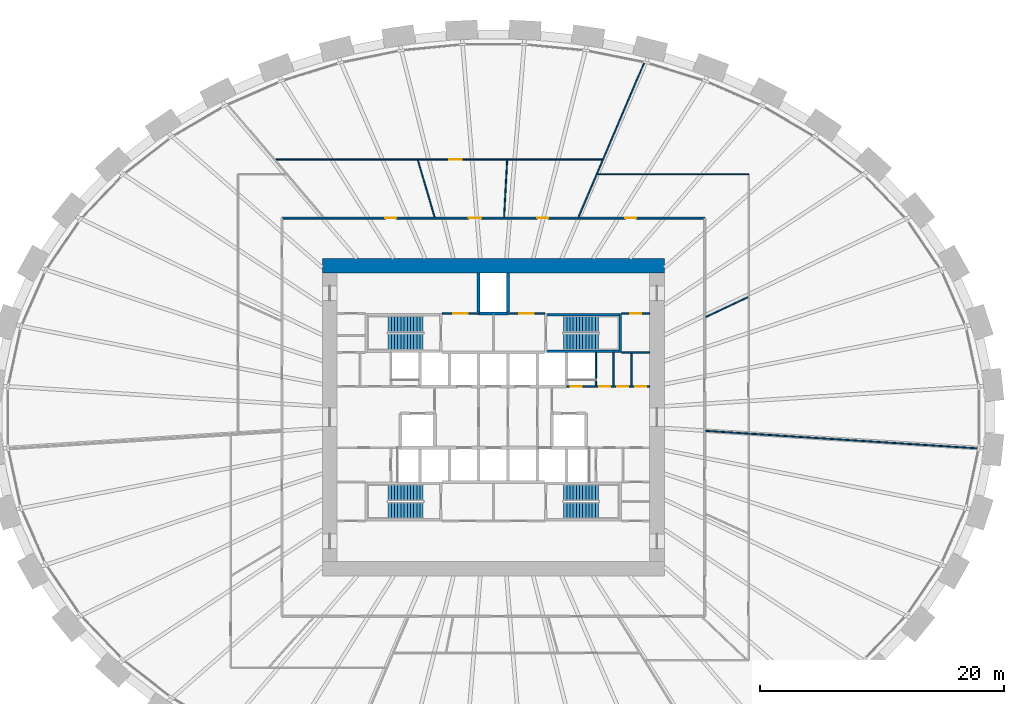
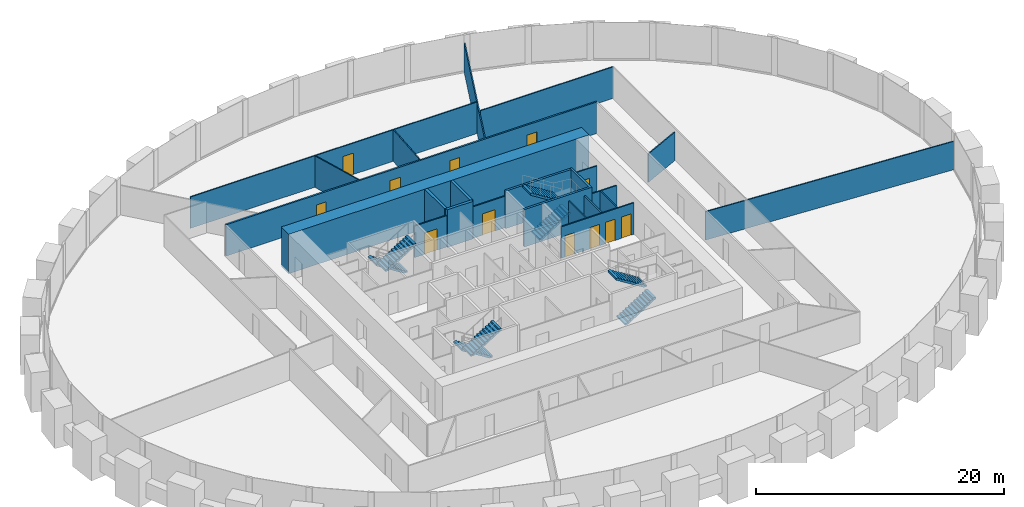
# One storey, part 9 of 10: 23 walls, 12 doors, 8 stair flights, 12 openings, 4 elements without a shape of their own.
"""IFC4 building model written with IfcOpenShell, lengths in metres."""

from ifc_helpers import new_model, si_unit, direction, frame, frame_2d, origin, place, context, subcontext, project, spatial, polyline, rectangle, outline, extrude, source, transform, mapped, material, layer, layer_set, type_object, element, fill, aggregate, save


model = new_model("IFC4")

# Units and contexts
model_context = context("Model", 3, precision=1e-05, world=origin(), true_north=direction((0.0, 1.0)))
body_context = subcontext(model_context, "Body", "Model", "MODEL_VIEW")
ifc_project = project(units=[si_unit("LENGTHUNIT", "METRE"), si_unit("AREAUNIT", "SQUARE_METRE"), si_unit("VOLUMEUNIT", "CUBIC_METRE"), si_unit("PLANEANGLEUNIT", "RADIAN"), si_unit("MASSUNIT", "GRAM", prefix="KILO")], contexts=[model_context])

# Site, building, storey
site_placement = place(None, origin())
site = spatial("IfcSite", under=ifc_project, at=site_placement, CompositionType="ELEMENT")
building_placement = place(site_placement, origin())
building = spatial("IfcBuilding", under=site, at=building_placement, Name="Embergate Tower", CompositionType="ELEMENT")
storey_placement = place(building_placement, frame((0.0, 0.0, 81.5)))
storey = spatial("IfcBuildingStorey", under=building, at=storey_placement, Name="L16", CompositionType="ELEMENT", Elevation=81.5)

# Wall
ifc_material_1 = material(Name="Concrete C80", Category="concrete")
ifc_layer_1 = layer(ifc_material_1, 1.199951171875)
ifc_layer_set_1 = layer_set([ifc_layer_1], Name="Concrete C80")
wall_type_1 = type_object("IfcWallType", Name="Core outer wall C80 1200", PredefinedType="SHEAR", material=ifc_layer_set_1)
shared_shape_1 = source(origin(), body_context, "Body", "SweptSolid", [
    extrude(rectangle(XDim=28.0, YDim=1.199951171875, at=frame_2d((14.0, 0.0))), origin(), (0.0, 0.0, 1.0), 3.89990234375),
])
wall_1_placement = place(storey_placement, frame((-14.0, 12.39990234375, -0.199951171875), z_axis=(0.0, 0.0, 1.0), x_axis=(1.0, 0.0, 0.0)))
element("IfcWall", 1, at=wall_1_placement, inside=storey, type_object=wall_type_1, Name="CW-L16-N", PredefinedType="SHEAR", context=body_context, shape_type="MappedRepresentation", body=[
    mapped(shared_shape_1, transform((0.0, 0.0, 0.0))),
])

# Wall, openings, doors
ifc_material_2 = material(Name="Core partition blockwork 120")
ifc_layer_2 = layer(ifc_material_2, 0.1201171875)
ifc_layer_set_2 = layer_set([ifc_layer_2], Name="Core partition blockwork 120")
wall_type_2 = type_object("IfcWallType", Name="Core partition blockwork 120", PredefinedType="PARTITIONING", material=ifc_layer_set_2)
shared_shape_2 = source(origin(), body_context, "Body", "SweptSolid", [
    extrude(rectangle(XDim=6.800048828125, YDim=0.1201171875, at=frame_2d((3.39990234375, 0.0))), origin(), (0.0, 0.0, 1.0), 3.10009765625),
])
wall_2_placement = place(storey_placement, frame((6.0, 2.5, 0.0), z_axis=(0.0, 0.0, 1.0), x_axis=(1.0, 0.0, 0.0)))
wall_2 = element("IfcWall", 2, at=wall_2_placement, inside=storey, type_object=wall_type_2, Name="IP-3 wall", PredefinedType="PARTITIONING", context=body_context, shape_type="MappedRepresentation", body=[
    mapped(shared_shape_2, transform((0.0, 0.0, 0.0))),
])
shared_shape_3 = source(origin(), body_context, "Body", "SweptSolid", [
    extrude(rectangle(XDim=0.89990234375, YDim=2.10009765625, at=frame_2d((0.449951171875, 1.050048828125))), frame((0.0, 0.070068359375, 0.0), z_axis=(0.0, -1.0, 0.0), x_axis=(1.0, 0.0, 0.0)), (0.0, 0.0, 1.0), 0.14013671875),
])
opening_1_placement = place(wall_2_placement, frame((0.35009765625, 0.0, 0.0)))
opening_1 = element("IfcOpeningElement", 3, at=opening_1_placement, cuts=wall_2, Name="Opening ID-1", PredefinedType="OPENING", context=body_context, shape_type="MappedRepresentation", body=[
    mapped(shared_shape_3, transform((0.0, 0.0, 0.0))),
])
opening_2_placement = place(wall_2_placement, frame((2.676025390625, 0.0, 0.0)))
opening_2 = element("IfcOpeningElement", 4, at=opening_2_placement, cuts=wall_2, Name="Opening ID-1", PredefinedType="OPENING", context=body_context, shape_type="MappedRepresentation", body=[
    mapped(shared_shape_3, transform((0.0, 0.0, 0.0))),
])
opening_3_placement = place(wall_2_placement, frame((4.1279296875, 0.0, 0.0)))
opening_3 = element("IfcOpeningElement", 5, at=opening_3_placement, cuts=wall_2, Name="Opening ID-1", PredefinedType="OPENING", context=body_context, shape_type="MappedRepresentation", body=[
    mapped(shared_shape_3, transform((0.0, 0.0, 0.0))),
])
opening_4_placement = place(wall_2_placement, frame((5.60205078125, 0.0, 0.0)))
opening_4 = element("IfcOpeningElement", 6, at=opening_4_placement, cuts=wall_2, Name="Opening ID-1", PredefinedType="OPENING", context=body_context, shape_type="MappedRepresentation", body=[
    mapped(shared_shape_3, transform((0.0, 0.0, 0.0))),
])
ifc_material_3 = material(Name="Interior door 900")
door_type_1 = type_object("IfcDoorType", Name="Interior door 900", OperationType="SINGLE_SWING_LEFT", PredefinedType="DOOR", material=ifc_material_3)
shared_shape_4 = source(origin(), body_context, "Body", "SweptSolid", [
    extrude(rectangle(XDim=0.89990234375, YDim=2.10009765625, at=frame_2d((0.449951171875, 1.050048828125))), frame((0.0, 0.02490234375, 0.0), z_axis=(0.0, -1.0, 0.0), x_axis=(1.0, 0.0, 0.0)), (0.0, 0.0, 1.0), 0.050048828125),
])
door_1_placement = place(opening_1_placement, origin())
door_1 = element("IfcDoor", 7, at=door_1_placement, inside=storey, type_object=door_type_1, Name="ID-1 door", OperationType="SINGLE_SWING_RIGHT", OverallHeight=2.10009765625, OverallWidth=0.89990234375, PredefinedType="DOOR", context=body_context, shape_type="MappedRepresentation", body=[
    mapped(shared_shape_4, transform((0.0, 0.0, 0.0))),
])
fill(opening_1, door_1)
door_2_placement = place(opening_2_placement, origin())
door_2 = element("IfcDoor", 8, at=door_2_placement, inside=storey, type_object=door_type_1, Name="ID-1 door", OperationType="SINGLE_SWING_LEFT", OverallHeight=2.10009765625, OverallWidth=0.89990234375, PredefinedType="DOOR", context=body_context, shape_type="MappedRepresentation", body=[
    mapped(shared_shape_4, transform((0.0, 0.0, 0.0))),
])
fill(opening_2, door_2)
door_3_placement = place(opening_3_placement, origin())
door_3 = element("IfcDoor", 9, at=door_3_placement, inside=storey, type_object=door_type_1, Name="ID-1 door", OperationType="SINGLE_SWING_LEFT", OverallHeight=2.10009765625, OverallWidth=0.89990234375, PredefinedType="DOOR", context=body_context, shape_type="MappedRepresentation", body=[
    mapped(shared_shape_4, transform((0.0, 0.0, 0.0))),
])
fill(opening_3, door_3)
door_4_placement = place(opening_4_placement, origin())
door_4 = element("IfcDoor", 10, at=door_4_placement, inside=storey, type_object=door_type_1, Name="ID-1 door", OperationType="SINGLE_SWING_LEFT", OverallHeight=2.10009765625, OverallWidth=0.89990234375, PredefinedType="DOOR", context=body_context, shape_type="MappedRepresentation", body=[
    mapped(shared_shape_4, transform((0.0, 0.0, 0.0))),
])
fill(opening_4, door_4)

# Walls
ifc_material_4 = material(Name="Concrete C50", Category="concrete")
ifc_layer_3 = layer(ifc_material_4, 0.199951171875)
ifc_layer_set_3 = layer_set([ifc_layer_3], Name="Concrete C50")
wall_type_3 = type_object("IfcWallType", Name="Stair enclosure wall reinforced concrete 250", PredefinedType="SHEAR", material=ifc_layer_set_3)
shared_shape_5 = source(origin(), body_context, "Body", "SweptSolid", [
    extrude(rectangle(XDim=6.300048828125, YDim=0.199951171875, at=frame_2d((3.14990234375, 0.0))), origin(), (0.0, 0.0, 1.0), 3.699951171875),
])
for number, where, z_axis, x_axis, name in (
    (11, (10.5, 5.39990234375, 0.0), (0.0, 0.0, 1.0), (-1.0, 0.0, 0.0), "SE-1 wall"),
    (12, (10.5, 8.39990234375, 0.0), (0.0, 0.0, 1.0), (-1.0, 0.0, 0.0), "SE-1 wall"),
):
    element("IfcWall", number, at=place(storey_placement, frame(where, z_axis=z_axis, x_axis=x_axis)), inside=storey, type_object=wall_type_3, Name=name, PredefinedType="SHEAR", context=body_context, shape_type="MappedRepresentation", body=[
        mapped(shared_shape_5, transform((0.0, 0.0, 0.0))),
    ])
shared_shape_6 = source(origin(), body_context, "Body", "SweptSolid", [
    extrude(rectangle(XDim=2.739990234375, YDim=0.1201171875, at=frame_2d((1.3701171875, 0.0))), origin(), (0.0, 0.0, 1.0), 3.10009765625),
])
for number, where, z_axis, x_axis, name in (
    (13, (8.39990234375, 2.56005859375, 0.0), (0.0, 0.0, 1.0), (0.0, 1.0, 0.0), "IP-3 wall"),
    (14, (9.85205078125, 2.56005859375, 0.0), (0.0, 0.0, 1.0), (0.0, 1.0, 0.0), "IP-3 wall"),
):
    element("IfcWall", number, at=place(storey_placement, frame(where, z_axis=z_axis, x_axis=x_axis)), inside=storey, type_object=wall_type_2, Name=name, PredefinedType="PARTITIONING", context=body_context, shape_type="MappedRepresentation", body=[
        mapped(shared_shape_6, transform((0.0, 0.0, 0.0))),
    ])
shared_shape_7 = source(origin(), body_context, "Body", "SweptSolid", [
    extrude(rectangle(XDim=3.199951171875, YDim=0.199951171875, at=frame_2d((1.60009765625, 0.0))), origin(), (0.0, 0.0, 1.0), 3.699951171875),
])
wall_3_placement = place(storey_placement, frame((10.39990234375, 5.300048828125, 0.0), z_axis=(0.0, 0.0, 1.0), x_axis=(0.0, 1.0, 0.0)))
element("IfcWall", 15, at=wall_3_placement, inside=storey, type_object=wall_type_3, Name="SE-1 wall", PredefinedType="SHEAR", context=body_context, shape_type="MappedRepresentation", body=[
    mapped(shared_shape_7, transform((0.0, 0.0, 0.0))),
])

# Wall, opening, door
shared_shape_8 = source(origin(), body_context, "Body", "SweptSolid", [
    extrude(rectangle(XDim=3.0, YDim=0.1201171875, at=frame_2d((1.5, 0.0))), origin(), (0.0, 0.0, 1.0), 3.10009765625),
])
wall_4_placement = place(storey_placement, frame((-1.199951171875, 8.5, 0.0), z_axis=(0.0, 0.0, 1.0), x_axis=(-1.0, 0.0, 0.0)))
wall_4 = element("IfcWall", 16, at=wall_4_placement, inside=storey, type_object=wall_type_2, Name="IP-3 wall", PredefinedType="PARTITIONING", context=body_context, shape_type="MappedRepresentation", body=[
    mapped(shared_shape_8, transform((0.0, 0.0, 0.0))),
])
shared_shape_9 = source(origin(), body_context, "Body", "SweptSolid", [
    extrude(rectangle(XDim=1.199951171875, YDim=2.10009765625, at=frame_2d((0.60009765625, 1.050048828125))), frame((0.0, 0.070068359375, 0.0), z_axis=(0.0, -1.0, 0.0), x_axis=(1.0, 0.0, 0.0)), (0.0, 0.0, 1.0), 0.14013671875),
])
opening_5_placement = place(wall_4_placement, frame((0.89990234375, 0.0, 0.0)))
opening_5 = element("IfcOpeningElement", 17, at=opening_5_placement, cuts=wall_4, Name="Opening IF-3f", PredefinedType="OPENING", context=body_context, shape_type="MappedRepresentation", body=[
    mapped(shared_shape_9, transform((0.0, 0.0, 0.0))),
])
ifc_material_5 = material(Name="Lobby fire door pair 1200")
door_type_2 = type_object("IfcDoorType", Name="Lobby fire door pair 1200", OperationType="DOUBLE_DOOR_SINGLE_SWING", PredefinedType="DOOR", material=ifc_material_5)
shared_shape_10 = source(origin(), body_context, "Body", "SweptSolid", [
    extrude(rectangle(XDim=1.199951171875, YDim=2.10009765625, at=frame_2d((0.60009765625, 1.050048828125))), frame((0.0, 0.02490234375, 0.0), z_axis=(0.0, -1.0, 0.0), x_axis=(1.0, 0.0, 0.0)), (0.0, 0.0, 1.0), 0.050048828125),
])
door_5_placement = place(opening_5_placement, origin())
door_5 = element("IfcDoor", 18, at=door_5_placement, inside=storey, type_object=door_type_2, Name="IF-3 door", OperationType="DOUBLE_DOOR_SINGLE_SWING", OverallHeight=2.10009765625, OverallWidth=1.199951171875, PredefinedType="DOOR", context=body_context, shape_type="MappedRepresentation", body=[
    mapped(shared_shape_10, transform((0.0, 0.0, 0.0))),
])
fill(opening_5, door_5)

wall_5_placement = place(storey_placement, frame((4.199951171875, 8.5, 0.0), z_axis=(0.0, 0.0, 1.0), x_axis=(-1.0, 0.0, 0.0)))
wall_5 = element("IfcWall", 19, at=wall_5_placement, inside=storey, type_object=wall_type_2, Name="IP-3 wall", PredefinedType="PARTITIONING", context=body_context, shape_type="MappedRepresentation", body=[
    mapped(shared_shape_8, transform((0.0, 0.0, 0.0))),
])
opening_6_placement = place(wall_5_placement, frame((0.89990234375, 0.0, 0.0)))
opening_6 = element("IfcOpeningElement", 20, at=opening_6_placement, cuts=wall_5, Name="Opening IF-3f", PredefinedType="OPENING", context=body_context, shape_type="MappedRepresentation", body=[
    mapped(shared_shape_9, transform((0.0, 0.0, 0.0))),
])
door_6_placement = place(opening_6_placement, origin())
door_6 = element("IfcDoor", 21, at=door_6_placement, inside=storey, type_object=door_type_2, Name="IF-3 door", OperationType="DOUBLE_DOOR_SINGLE_SWING", OverallHeight=2.10009765625, OverallWidth=1.199951171875, PredefinedType="DOOR", context=body_context, shape_type="MappedRepresentation", body=[
    mapped(shared_shape_10, transform((0.0, 0.0, 0.0))),
])
fill(opening_6, door_6)

# Walls
ifc_layer_4 = layer(ifc_material_4, 0.25)
ifc_layer_set_4 = layer_set([ifc_layer_4], Name="Concrete C50")
wall_type_4 = type_object("IfcWallType", Name="Hoistway wall reinforced concrete 250", PredefinedType="SHEAR", material=ifc_layer_set_4)
shared_shape_11 = source(origin(), body_context, "Body", "SweptSolid", [
    extrude(rectangle(XDim=2.39990234375, YDim=0.25, at=frame_2d((1.199951171875, 0.0))), origin(), (0.0, 0.0, 1.0), 3.699951171875),
])
wall_6_placement = place(storey_placement, frame((1.199951171875, 8.5, 0.0), z_axis=(0.0, 0.0, 1.0), x_axis=(-1.0, 0.0, 0.0)))
element("IfcWall", 22, at=wall_6_placement, inside=storey, type_object=wall_type_4, Name="HW-1 wall", PredefinedType="SHEAR", context=body_context, shape_type="MappedRepresentation", body=[
    mapped(shared_shape_11, transform((0.0, 0.0, 0.0))),
])
shared_shape_12 = source(origin(), body_context, "Body", "SweptSolid", [
    extrude(rectangle(XDim=3.175048828125, YDim=0.25, at=frame_2d((1.58740234375, 0.0))), origin(), (0.0, 0.0, 1.0), 3.699951171875),
])
for number, where, z_axis, x_axis, name in (
    (23, (-1.199951171875, 8.625, 0.0), (0.0, 0.0, 1.0), (0.0, 1.0, 0.0), "HW-1 wall"),
    (24, (1.199951171875, 11.800048828125, 0.0), (0.0, 0.0, 1.0), (0.0, -1.0, 0.0), "HW-1 wall"),
):
    element("IfcWall", number, at=place(storey_placement, frame(where, z_axis=z_axis, x_axis=x_axis)), inside=storey, type_object=wall_type_4, Name=name, PredefinedType="SHEAR", context=body_context, shape_type="MappedRepresentation", body=[
        mapped(shared_shape_12, transform((0.0, 0.0, 0.0))),
    ])

# Wall, opening, door
shared_shape_13 = source(origin(), body_context, "Body", "SweptSolid", [
    extrude(rectangle(XDim=2.300048828125, YDim=0.1201171875, at=frame_2d((1.14990234375, 0.0))), origin(), (0.0, 0.0, 1.0), 3.10009765625),
])
wall_7_placement = place(storey_placement, frame((10.5, 8.5, 0.0), z_axis=(0.0, 0.0, 1.0), x_axis=(1.0, 0.0, 0.0)))
wall_7 = element("IfcWall", 25, at=wall_7_placement, inside=storey, type_object=wall_type_2, Name="IP-3 wall", PredefinedType="PARTITIONING", context=body_context, shape_type="MappedRepresentation", body=[
    mapped(shared_shape_13, transform((0.0, 0.0, 0.0))),
])
opening_7_placement = place(wall_7_placement, frame((0.699951171875, 0.0, 0.0)))
opening_7 = element("IfcOpeningElement", 26, at=opening_7_placement, cuts=wall_7, Name="Opening ID-1", PredefinedType="OPENING", context=body_context, shape_type="MappedRepresentation", body=[
    mapped(shared_shape_3, transform((0.0, 0.0, 0.0))),
])
door_7_placement = place(opening_7_placement, origin())
door_7 = element("IfcDoor", 27, at=door_7_placement, inside=storey, type_object=door_type_1, Name="ID-1 door", OperationType="SINGLE_SWING_LEFT", OverallHeight=2.10009765625, OverallWidth=0.89990234375, PredefinedType="DOOR", context=body_context, shape_type="MappedRepresentation", body=[
    mapped(shared_shape_4, transform((0.0, 0.0, 0.0))),
])
fill(opening_7, door_7)

# Walls
wall_8_placement = place(storey_placement, frame((12.800048828125, 5.300048828125, 0.0), z_axis=(0.0, 0.0, 1.0), x_axis=(-1.0, 0.0, 0.0)))
element("IfcWall", 28, at=wall_8_placement, inside=storey, type_object=wall_type_2, Name="IP-3 wall", PredefinedType="PARTITIONING", context=body_context, shape_type="MappedRepresentation", body=[
    mapped(shared_shape_13, transform((0.0, 0.0, 0.0))),
])
shared_shape_14 = source(origin(), body_context, "Body", "SweptSolid", [
    extrude(rectangle(XDim=2.679931640625, YDim=0.1201171875, at=frame_2d((1.33984375, 0.0))), origin(), (0.0, 0.0, 1.0), 3.10009765625),
])
wall_9_placement = place(storey_placement, frame((11.303955078125, 2.56005859375, 0.0), z_axis=(0.0, 0.0, 1.0), x_axis=(0.0, 1.0, 0.0)))
element("IfcWall", 29, at=wall_9_placement, inside=storey, type_object=wall_type_2, Name="IP-3 wall", PredefinedType="PARTITIONING", context=body_context, shape_type="MappedRepresentation", body=[
    mapped(shared_shape_14, transform((0.0, 0.0, 0.0))),
])

# Wall, openings, doors
ifc_material_6 = material(Name="Corridor wall dry-lined 150")
ifc_layer_5 = layer(ifc_material_6, 0.14990234375)
ifc_layer_set_5 = layer_set([ifc_layer_5], Name="Corridor wall dry-lined 150")
wall_type_5 = type_object("IfcWallType", Name="Corridor wall dry-lined 150", PredefinedType="PARTITIONING", material=ifc_layer_set_5)
shared_shape_15 = source(origin(), body_context, "Body", "SweptSolid", [
    extrude(rectangle(XDim=34.60009765625, YDim=0.14990234375, at=frame_2d((17.300048828125, 0.0))), origin(), (0.0, 0.0, 1.0), 3.10009765625),
])
wall_10_placement = place(storey_placement, frame((-17.300048828125, 16.300048828125, 0.0), z_axis=(0.0, 0.0, 1.0), x_axis=(1.0, 0.0, 0.0)))
wall_10 = element("IfcWall", 30, at=wall_10_placement, inside=storey, type_object=wall_type_5, Name="IP-2 wall", PredefinedType="PARTITIONING", context=body_context, shape_type="MappedRepresentation", body=[
    mapped(shared_shape_15, transform((0.0, 0.0, 0.0))),
])
shared_shape_16 = source(origin(), body_context, "Body", "SweptSolid", [
    extrude(rectangle(XDim=0.89990234375, YDim=2.10009765625, at=frame_2d((0.449951171875, 1.050048828125))), frame((0.0, 0.0849609375, 0.0), z_axis=(0.0, -1.0, 0.0), x_axis=(1.0, 0.0, 0.0)), (0.0, 0.0, 1.0), 0.169921875),
])
opening_8_placement = place(wall_10_placement, frame((28.0810546875, 0.0, 0.0)))
opening_8 = element("IfcOpeningElement", 31, at=opening_8_placement, cuts=wall_10, Name="Opening IF-1c", PredefinedType="OPENING", context=body_context, shape_type="MappedRepresentation", body=[
    mapped(shared_shape_16, transform((0.0, 0.0, 0.0))),
])
opening_9_placement = place(wall_10_placement, frame((20.89111328125, 0.0, 0.0)))
opening_9 = element("IfcOpeningElement", 32, at=opening_9_placement, cuts=wall_10, Name="Opening IF-1c", PredefinedType="OPENING", context=body_context, shape_type="MappedRepresentation", body=[
    mapped(shared_shape_16, transform((0.0, 0.0, 0.0))),
])
shared_shape_17 = source(origin(), body_context, "Body", "SweptSolid", [
    extrude(rectangle(XDim=1.0, YDim=2.10009765625, at=frame_2d((0.5, 1.050048828125))), frame((0.0, 0.0849609375, 0.0), z_axis=(0.0, -1.0, 0.0), x_axis=(1.0, 0.0, 0.0)), (0.0, 0.0, 1.0), 0.169921875),
])
opening_10_placement = place(wall_10_placement, frame((15.2890625, 0.0, 0.0)))
opening_10 = element("IfcOpeningElement", 33, at=opening_10_placement, cuts=wall_10, Name="Opening ID-2", PredefinedType="OPENING", context=body_context, shape_type="MappedRepresentation", body=[
    mapped(shared_shape_17, transform((0.0, 0.0, 0.0))),
])
opening_11_placement = place(wall_10_placement, frame((8.43896484375, 0.0, 0.0)))
opening_11 = element("IfcOpeningElement", 34, at=opening_11_placement, cuts=wall_10, Name="Opening IF-1c", PredefinedType="OPENING", context=body_context, shape_type="MappedRepresentation", body=[
    mapped(shared_shape_16, transform((0.0, 0.0, 0.0))),
])
ifc_material_7 = material(Name="Escape fire door 900")
door_type_3 = type_object("IfcDoorType", Name="Escape fire door 900", OperationType="SINGLE_SWING_LEFT", PredefinedType="DOOR", material=ifc_material_7)
door_8_placement = place(opening_8_placement, origin())
door_8 = element("IfcDoor", 35, at=door_8_placement, inside=storey, type_object=door_type_3, Name="IF-1 door", OperationType="SINGLE_SWING_LEFT", OverallHeight=2.10009765625, OverallWidth=0.89990234375, PredefinedType="DOOR", context=body_context, shape_type="MappedRepresentation", body=[
    mapped(shared_shape_4, transform((0.0, 0.0, 0.0))),
])
fill(opening_8, door_8)
door_9_placement = place(opening_9_placement, origin())
door_9 = element("IfcDoor", 36, at=door_9_placement, inside=storey, type_object=door_type_3, Name="IF-1 door", OperationType="SINGLE_SWING_LEFT", OverallHeight=2.10009765625, OverallWidth=0.89990234375, PredefinedType="DOOR", context=body_context, shape_type="MappedRepresentation", body=[
    mapped(shared_shape_4, transform((0.0, 0.0, 0.0))),
])
fill(opening_9, door_9)
door_10_placement = place(opening_11_placement, origin())
door_10 = element("IfcDoor", 37, at=door_10_placement, inside=storey, type_object=door_type_3, Name="IF-1 door", OperationType="SINGLE_SWING_RIGHT", OverallHeight=2.10009765625, OverallWidth=0.89990234375, PredefinedType="DOOR", context=body_context, shape_type="MappedRepresentation", body=[
    mapped(shared_shape_4, transform((0.0, 0.0, 0.0))),
])
fill(opening_11, door_10)
ifc_material_8 = material(Name="Interior door 1000")
door_type_4 = type_object("IfcDoorType", Name="Interior door 1000", OperationType="SINGLE_SWING_LEFT", PredefinedType="DOOR", material=ifc_material_8)
shared_shape_18 = source(origin(), body_context, "Body", "SweptSolid", [
    extrude(rectangle(XDim=1.0, YDim=2.10009765625, at=frame_2d((0.5, 1.050048828125))), frame((0.0, 0.02490234375, 0.0), z_axis=(0.0, -1.0, 0.0), x_axis=(1.0, 0.0, 0.0)), (0.0, 0.0, 1.0), 0.050048828125),
])
door_11_placement = place(opening_10_placement, origin())
door_11 = element("IfcDoor", 38, at=door_11_placement, inside=storey, type_object=door_type_4, Name="ID-2 door", OperationType="SINGLE_SWING_RIGHT", OverallHeight=2.10009765625, OverallWidth=1.0, PredefinedType="DOOR", context=body_context, shape_type="MappedRepresentation", body=[
    mapped(shared_shape_18, transform((0.0, 0.0, 0.0))),
])
fill(opening_10, door_11)

# Walls
ifc_material_9 = material(Name="Partition dry-lined 100")
ifc_layer_6 = layer(ifc_material_9, 0.10009765625)
ifc_layer_set_6 = layer_set([ifc_layer_6], Name="Partition dry-lined 100")
wall_type_6 = type_object("IfcWallType", Name="Partition dry-lined 100", PredefinedType="PARTITIONING", material=ifc_layer_set_6)
shared_shape_19 = source(origin(), body_context, "Body", "SweptSolid", [
    extrude(rectangle(XDim=22.39013671875, YDim=0.10009765625, at=frame_2d((11.195068359375, 0.0))), origin(), (0.0, 0.0, 1.0), 2.800048828125),
])
wall_11_placement = place(storey_placement, frame((17.375, -1.117919921875, 0.0), z_axis=(0.0, 0.0, 1.0), x_axis=(0.997935511043, -0.064223950351, 0.0)))
element("IfcWall", 39, at=wall_11_placement, inside=storey, type_object=wall_type_6, Name="IP-1 wall", PredefinedType="PARTITIONING", context=body_context, shape_type="MappedRepresentation", body=[
    mapped(shared_shape_19, transform((0.0, 0.0, 0.0))),
])
shared_shape_20 = source(origin(), body_context, "Body", "SweptSolid", [
    extrude(rectangle(XDim=13.76171875, YDim=0.10009765625, at=frame_2d((6.880859375, 0.0))), origin(), (0.0, 0.0, 1.0), 2.89990234375),
])
wall_12_placement = place(storey_placement, frame((6.97607421875, 16.39501953125, 0.0), z_axis=(0.0, 0.0, 1.0), x_axis=(0.391517771794, 0.92017054635, 0.0)))
element("IfcWall", 40, at=wall_12_placement, inside=storey, type_object=wall_type_6, Name="IP-1 wall", PredefinedType="PARTITIONING", context=body_context, shape_type="MappedRepresentation", body=[
    mapped(shared_shape_20, transform((0.0, 0.0, 0.0))),
])
shared_shape_21 = source(origin(), body_context, "Body", "SweptSolid", [
    extrude(rectangle(XDim=3.796142578125, YDim=0.10009765625, at=frame_2d((1.89794921875, 0.0))), origin(), (0.0, 0.0, 1.0), 2.800048828125),
])
wall_13_placement = place(storey_placement, frame((17.39599609375, 8.2099609375, 0.0), z_axis=(0.0, 0.0, 1.0), x_axis=(0.904357603074, 0.42677549808, 0.0)))
element("IfcWall", 41, at=wall_13_placement, inside=storey, type_object=wall_type_6, Name="IP-1 wall", PredefinedType="PARTITIONING", context=body_context, shape_type="MappedRepresentation", body=[
    mapped(shared_shape_21, transform((0.0, 0.0, 0.0))),
])
shared_shape_22 = source(origin(), body_context, "Body", "SweptSolid", [
    extrude(rectangle(XDim=12.35693359375, YDim=0.10009765625, at=frame_2d((6.178466796875, 0.0))), origin(), (0.0, 0.0, 1.0), 3.10009765625),
])
wall_14_placement = place(storey_placement, frame((8.54296875, 19.89990234375, 0.0), z_axis=(0.0, 0.0, 1.0), x_axis=(1.0, 0.0, 0.0)))
element("IfcWall", 42, at=wall_14_placement, inside=storey, type_object=wall_type_6, Name="IP-1 wall", PredefinedType="PARTITIONING", context=body_context, shape_type="MappedRepresentation", body=[
    mapped(shared_shape_22, transform((0.0, 0.0, 0.0))),
])
shared_shape_23 = source(origin(), body_context, "Body", "SweptSolid", [
    extrude(rectangle(XDim=4.681640625, YDim=0.10009765625, at=frame_2d((2.3408203125, 0.0))), origin(), (0.0, 0.0, 1.0), 3.10009765625),
])
wall_15_placement = place(storey_placement, frame((0.876953125, 16.375, 0.0), z_axis=(0.0, 0.0, 1.0), x_axis=(0.053399081376, 0.998573251248, 0.0)))
element("IfcWall", 43, at=wall_15_placement, inside=storey, type_object=wall_type_6, Name="IP-1 wall", PredefinedType="PARTITIONING", context=body_context, shape_type="MappedRepresentation", body=[
    mapped(shared_shape_23, transform((0.0, 0.0, 0.0))),
])

# Wall, opening, door
shared_shape_24 = source(origin(), body_context, "Body", "SweptSolid", [
    extrude(rectangle(XDim=26.72119140625, YDim=0.10009765625, at=frame_2d((13.360595703125, 0.0))), origin(), (0.0, 0.0, 1.0), 3.10009765625),
])
wall_16_placement = place(storey_placement, frame((-17.819091796875, 21.10009765625, 0.0), z_axis=(0.0, 0.0, 1.0), x_axis=(1.0, 0.0, 0.0)))
wall_16 = element("IfcWall", 44, at=wall_16_placement, inside=storey, type_object=wall_type_6, Name="IP-1 wall", PredefinedType="PARTITIONING", context=body_context, shape_type="MappedRepresentation", body=[
    mapped(shared_shape_24, transform((0.0, 0.0, 0.0))),
])
shared_shape_25 = source(origin(), body_context, "Body", "SweptSolid", [
    extrude(rectangle(XDim=1.0, YDim=2.10009765625, at=frame_2d((0.5, 1.050048828125))), frame((0.0, 0.06005859375, 0.0), z_axis=(0.0, -1.0, 0.0), x_axis=(1.0, 0.0, 0.0)), (0.0, 0.0, 1.0), 0.1201171875),
])
opening_12_placement = place(wall_16_placement, frame((14.211669921875, 0.0, 0.0)))
opening_12 = element("IfcOpeningElement", 45, at=opening_12_placement, cuts=wall_16, Name="Opening ID-2", PredefinedType="OPENING", context=body_context, shape_type="MappedRepresentation", body=[
    mapped(shared_shape_25, transform((0.0, 0.0, 0.0))),
])
door_12_placement = place(opening_12_placement, origin())
door_12 = element("IfcDoor", 46, at=door_12_placement, inside=storey, type_object=door_type_4, Name="ID-2 door", OperationType="SINGLE_SWING_LEFT", OverallHeight=2.10009765625, OverallWidth=1.0, PredefinedType="DOOR", context=body_context, shape_type="MappedRepresentation", body=[
    mapped(shared_shape_18, transform((0.0, 0.0, 0.0))),
])
fill(opening_12, door_12)

# Wall
shared_shape_26 = source(origin(), body_context, "Body", "SweptSolid", [
    extrude(rectangle(XDim=4.84326171875, YDim=0.10009765625, at=frame_2d((2.421630859375, 0.0))), origin(), (0.0, 0.0, 1.0), 3.10009765625),
])
wall_17_placement = place(storey_placement, frame((-4.81494140625, 16.388916015625, 0.0), z_axis=(0.0, 0.0, 1.0), x_axis=(-0.281830628562, 0.959464171715, 0.0)))
element("IfcWall", 47, at=wall_17_placement, inside=storey, type_object=wall_type_6, Name="IP-1 wall", PredefinedType="PARTITIONING", context=body_context, shape_type="MappedRepresentation", body=[
    mapped(shared_shape_26, transform((0.0, 0.0, 0.0))),
])

# Stair, stair flights
ifc_material_10 = material(Name="Exit stair")
stair_type = type_object("IfcStairType", Name="Exit stair", PredefinedType="HALF_TURN_STAIR", material=ifc_material_10)
stair_1_placement = place(storey_placement, origin())
stair_1 = element("IfcStair", 48, at=stair_1_placement, inside=storey, type_object=stair_type, Name="L16 Exit stair 1", PredefinedType="HALF_TURN_STAIR")
ifc_material_11 = material(Name="Concrete C40", Category="concrete")
stair_flight_type = type_object("IfcStairFlightType", Name="Stair flight reinforced concrete", PredefinedType="STRAIGHT", material=ifc_material_11)
shared_shape_27 = source(origin(), body_context, "Body", "SweptSolid", [
    extrude(outline(polyline([(0.0, 0.0), (0.0, 0.16259765625), (0.260009765625, 0.16259765625), (0.260009765625, 0.324951171875), (0.52001953125, 0.324951171875), (0.52001953125, 0.487548828125), (0.780029296875, 0.487548828125), (0.780029296875, 0.64990234375), (1.0400390625, 0.64990234375), (1.0400390625, 0.8125), (1.300048828125, 0.8125), (1.300048828125, 0.97509765625), (1.56005859375, 0.97509765625), (1.56005859375, 1.137451171875), (1.820068359375, 1.137451171875), (1.820068359375, 1.300048828125), (2.080078125, 1.300048828125), (2.080078125, 1.46240234375), (2.340087890625, 1.46240234375), (2.340087890625, 1.625), (2.60009765625, 1.625), (2.60009765625, 1.78759765625), (2.860107421875, 1.78759765625), (2.860107421875, 1.949951171875), (2.860107421875, 1.61083984375), (0.28271484375, 0.0), (0.0, 0.0)])), frame((0.0, 0.675048828125, 0.0), z_axis=(0.0, -1.0, 0.0), x_axis=(1.0, 0.0, 0.0)), (0.0, 0.0, 1.0), 1.35009765625),
])
stair_flight_1_placement = place(storey_placement, frame((-5.75, 7.625, 0.0), z_axis=(0.0, 0.0, 1.0), x_axis=(-1.0, 0.0, 0.0)))
stair_flight_1 = element("IfcStairFlight", 49, at=stair_flight_1_placement, type_object=stair_flight_type, Name="ST1 flight 1", NumberOfRisers=12, NumberOfTreads=11, PredefinedType="STRAIGHT", RiserHeight=0.1625, TreadLength=0.26, context=body_context, shape_type="MappedRepresentation", body=[
    mapped(shared_shape_27, transform((0.0, 0.0, 0.0))),
])
stair_flight_2_placement = place(storey_placement, frame((-8.610107421875, 6.175048828125, 1.949951171875), z_axis=(0.0, 0.0, 1.0), x_axis=(1.0, 0.0, 0.0)))
stair_flight_2 = element("IfcStairFlight", 50, at=stair_flight_2_placement, type_object=stair_flight_type, Name="ST1 flight 2", NumberOfRisers=12, NumberOfTreads=11, PredefinedType="STRAIGHT", RiserHeight=0.1625, TreadLength=0.26, context=body_context, shape_type="MappedRepresentation", body=[
    mapped(shared_shape_27, transform((0.0, 0.0, 0.0))),
])
aggregate(stair_1, [stair_flight_1, stair_flight_2])

stair_2_placement = place(storey_placement, origin())
stair_2 = element("IfcStair", 51, at=stair_2_placement, inside=storey, type_object=stair_type, Name="L16 Exit stair 2", PredefinedType="HALF_TURN_STAIR")
stair_flight_3_placement = place(storey_placement, frame((5.75, 6.175048828125, 0.0), z_axis=(0.0, 0.0, 1.0), x_axis=(1.0, 0.0, 0.0)))
stair_flight_3 = element("IfcStairFlight", 52, at=stair_flight_3_placement, type_object=stair_flight_type, Name="ST2 flight 1", NumberOfRisers=12, NumberOfTreads=11, PredefinedType="STRAIGHT", RiserHeight=0.1625, TreadLength=0.26, context=body_context, shape_type="MappedRepresentation", body=[
    mapped(shared_shape_27, transform((0.0, 0.0, 0.0))),
])
stair_flight_4_placement = place(storey_placement, frame((8.610107421875, 7.625, 1.949951171875), z_axis=(0.0, 0.0, 1.0), x_axis=(-1.0, 0.0, 0.0)))
stair_flight_4 = element("IfcStairFlight", 53, at=stair_flight_4_placement, type_object=stair_flight_type, Name="ST2 flight 2", NumberOfRisers=12, NumberOfTreads=11, PredefinedType="STRAIGHT", RiserHeight=0.1625, TreadLength=0.26, context=body_context, shape_type="MappedRepresentation", body=[
    mapped(shared_shape_27, transform((0.0, 0.0, 0.0))),
])
aggregate(stair_2, [stair_flight_3, stair_flight_4])

stair_3_placement = place(storey_placement, origin())
stair_3 = element("IfcStair", 54, at=stair_3_placement, inside=storey, type_object=stair_type, Name="L16 Exit stair 3", PredefinedType="HALF_TURN_STAIR")
stair_flight_5_placement = place(storey_placement, frame((-5.75, -6.175048828125, 0.0), z_axis=(0.0, 0.0, 1.0), x_axis=(-1.0, 0.0, 0.0)))
stair_flight_5 = element("IfcStairFlight", 55, at=stair_flight_5_placement, type_object=stair_flight_type, Name="ST3 flight 1", NumberOfRisers=12, NumberOfTreads=11, PredefinedType="STRAIGHT", RiserHeight=0.1625, TreadLength=0.26, context=body_context, shape_type="MappedRepresentation", body=[
    mapped(shared_shape_27, transform((0.0, 0.0, 0.0))),
])
stair_flight_6_placement = place(storey_placement, frame((-8.610107421875, -7.625, 1.949951171875), z_axis=(0.0, 0.0, 1.0), x_axis=(1.0, 0.0, 0.0)))
stair_flight_6 = element("IfcStairFlight", 56, at=stair_flight_6_placement, type_object=stair_flight_type, Name="ST3 flight 2", NumberOfRisers=12, NumberOfTreads=11, PredefinedType="STRAIGHT", RiserHeight=0.1625, TreadLength=0.26, context=body_context, shape_type="MappedRepresentation", body=[
    mapped(shared_shape_27, transform((0.0, 0.0, 0.0))),
])
aggregate(stair_3, [stair_flight_5, stair_flight_6])

stair_4_placement = place(storey_placement, origin())
stair_4 = element("IfcStair", 57, at=stair_4_placement, inside=storey, type_object=stair_type, Name="L16 Exit stair 4", PredefinedType="HALF_TURN_STAIR")
stair_flight_7_placement = place(storey_placement, frame((5.75, -7.625, 0.0), z_axis=(0.0, 0.0, 1.0), x_axis=(1.0, 0.0, 0.0)))
stair_flight_7 = element("IfcStairFlight", 58, at=stair_flight_7_placement, type_object=stair_flight_type, Name="ST4 flight 1", NumberOfRisers=12, NumberOfTreads=11, PredefinedType="STRAIGHT", RiserHeight=0.1625, TreadLength=0.26, context=body_context, shape_type="MappedRepresentation", body=[
    mapped(shared_shape_27, transform((0.0, 0.0, 0.0))),
])
stair_flight_8_placement = place(storey_placement, frame((8.610107421875, -6.175048828125, 1.949951171875), z_axis=(0.0, 0.0, 1.0), x_axis=(-1.0, 0.0, 0.0)))
stair_flight_8 = element("IfcStairFlight", 59, at=stair_flight_8_placement, type_object=stair_flight_type, Name="ST4 flight 2", NumberOfRisers=12, NumberOfTreads=11, PredefinedType="STRAIGHT", RiserHeight=0.1625, TreadLength=0.26, context=body_context, shape_type="MappedRepresentation", body=[
    mapped(shared_shape_27, transform((0.0, 0.0, 0.0))),
])
aggregate(stair_4, [stair_flight_7, stair_flight_8])

save(model, "model.ifc")
